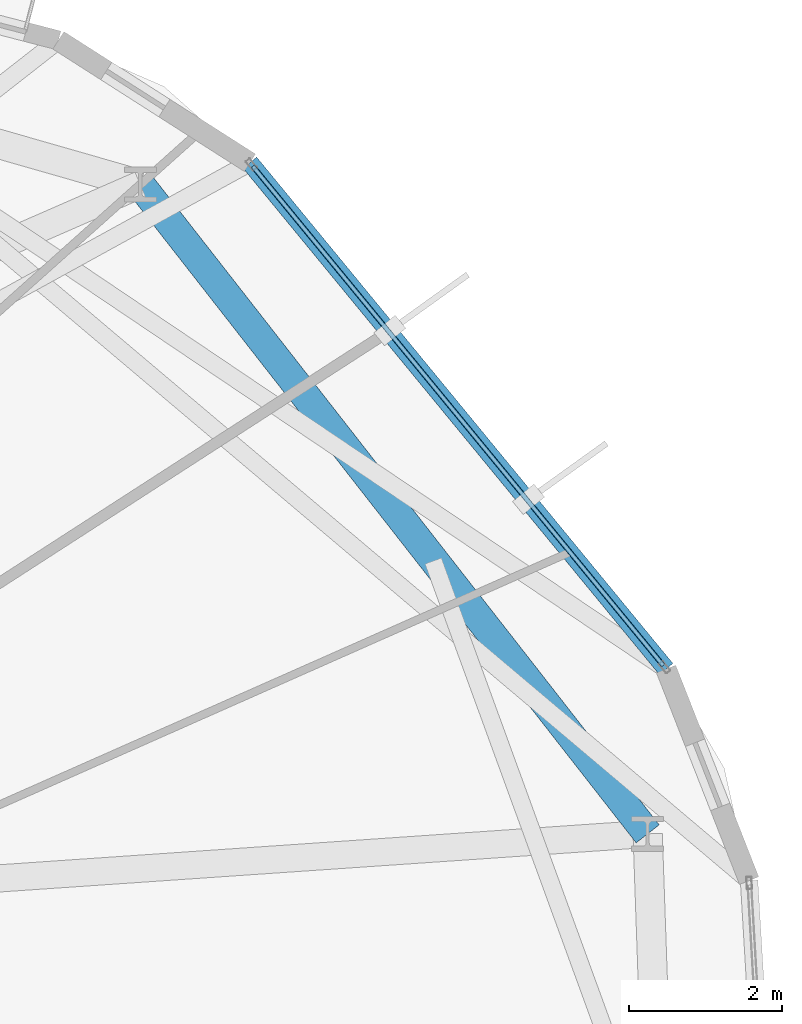
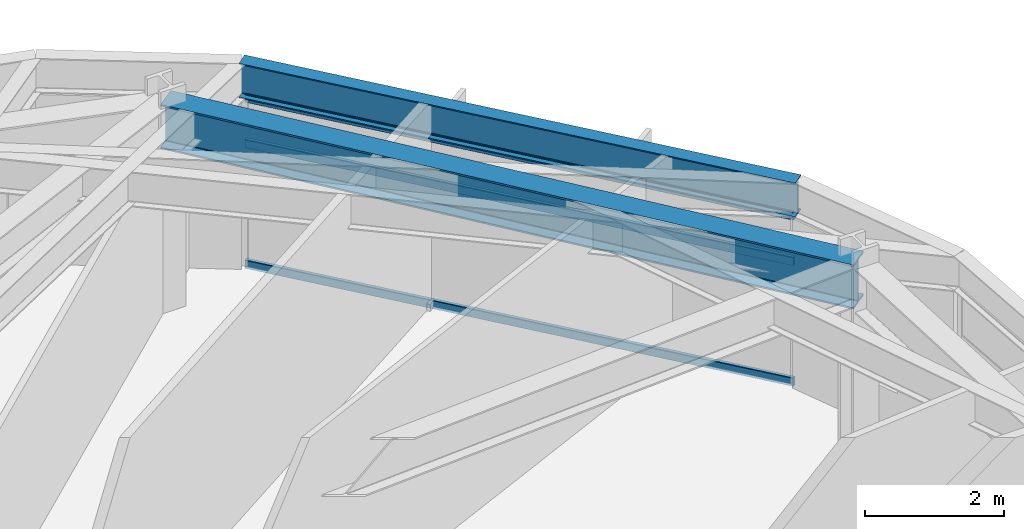
# One storey, part 12 of 22: 3 members, 2 beams, 1 element without a shape of its own.
"""IFC4 building model written with IfcOpenShell, lengths in metres."""

from ifc_helpers import new_model, si_unit, direction, frame, origin, origin_2d, place, context, subcontext, project, spatial, hollow_rectangle, i_section, extrude, material, layer, layer_set, material_profile, profile_set, type_object, element, aggregate, save


model = new_model("IFC4")

# Units and contexts
model_context = context("Model", 3, precision=1e-05, world=origin(), true_north=direction((0.0, 1.0)))
body_context = subcontext(model_context, "Body", "Model", "MODEL_VIEW")
ifc_project = project(units=[si_unit("LENGTHUNIT", "METRE"), si_unit("AREAUNIT", "SQUARE_METRE"), si_unit("VOLUMEUNIT", "CUBIC_METRE"), si_unit("PLANEANGLEUNIT", "RADIAN"), si_unit("MASSUNIT", "GRAM", prefix="KILO")], contexts=[model_context])

# Site, building, storey
site_placement = place(None, origin())
site = spatial("IfcSite", under=ifc_project, at=site_placement, CompositionType="ELEMENT")
building_placement = place(site_placement, origin())
building = spatial("IfcBuilding", under=site, at=building_placement, Name="Soratama Intermodal Tower", CompositionType="ELEMENT")
storey_placement = place(building_placement, frame((0.0, 0.0, 110.800048828125)))
storey = spatial("IfcBuildingStorey", under=building, at=storey_placement, Name="L26", CompositionType="ELEMENT", Elevation=110.800048828125)

# Beams
ifc_material_1 = material(Name="Structural steel ASTM A992 Grade 50", Category="steel")
ifc_material_profile_1 = material_profile(ifc_material_1, i_section(OverallWidth=0.382080078125, OverallDepth=0.779052734375, WebThickness=0.01806640625, FlangeThickness=0.030029296875, FilletRadius=0.01806640625, at=origin_2d()), Name="W30X191")
ifc_profile_set_1 = profile_set([ifc_material_profile_1], Name="Structural steel ASTM A992 Grade 50")
beam_type_1 = type_object("IfcBeamType", Name="BM-RING-W30X191", PredefinedType="BEAM", material=ifc_profile_set_1)
beam_1_placement = place(storey_placement, frame((61.35107421875, 30.950927734375, 3.21044921875), z_axis=(-0.615683690883, 0.787993396407, 0.0), x_axis=(-0.787993396407, -0.615683690883, 0.0)))
element("IfcBeam", 1, at=beam_1_placement, inside=storey, type_object=beam_type_1, Name="BM-L26-RING-01", PredefinedType="BEAM", context=body_context, shape_type="SweptSolid", body=[
    extrude(i_section(OverallWidth=0.382080078125, OverallDepth=0.779052734375, WebThickness=0.01806640625, FlangeThickness=0.030029296875, FilletRadius=0.01806640625, at=origin_2d()), origin(), (0.0, 0.0, 1.0), 10.754150390625),
])
ifc_material_2 = material(Name="Structural steel ASTM A992 Grade 50", Category="steel")
ifc_material_profile_2 = material_profile(ifc_material_2, i_section(OverallWidth=0.22900390625, OverallDepth=0.612060546875, WebThickness=0.011962890625, FlangeThickness=0.01953125, FilletRadius=0.012939453125, at=origin_2d()), Name="W24X84")
ifc_profile_set_2 = profile_set([ifc_material_profile_2], Name="Structural steel ASTM A992 Grade 50")
beam_type_2 = type_object("IfcBeamType", Name="BM-SPN-W24X84", PredefinedType="SPANDREL", material=ifc_profile_set_2)
beam_2_placement = place(storey_placement, frame((61.592041015625, 33.10205078125, 3.2939453125), z_axis=(-0.635032741365, 0.772485221473, 0.0), x_axis=(-0.772485221473, -0.635032741365, 0.0)))
element("IfcBeam", 2, at=beam_2_placement, inside=storey, type_object=beam_type_2, Name="BS-L26-F01", PredefinedType="SPANDREL", context=body_context, shape_type="SweptSolid", body=[
    extrude(i_section(OverallWidth=0.22900390625, OverallDepth=0.612060546875, WebThickness=0.011962890625, FlangeThickness=0.01953125, FilletRadius=0.012939453125, at=origin_2d()), origin(), (0.0, 0.0, 1.0), 8.55419921875),
])

# Curtain wall, members
ifc_material_3 = material(Name="Double-glazed aluminium curtain wall", Category="aluminium")
ifc_layer = layer(ifc_material_3, 0.159912109375)
ifc_layer_set = layer_set([ifc_layer], Name="Double-glazed aluminium curtain wall")
curtain_wall_type = type_object("IfcCurtainWallType", Name="CW-SYS-3", PredefinedType="NOTDEFINED", material=ifc_layer_set)
curtain_wall_placement = place(storey_placement, origin())
curtain_wall = element("IfcCurtainWall", 3, at=curtain_wall_placement, inside=storey, type_object=curtain_wall_type, Name="L26 Faceted Curtain Wall F01", PredefinedType="NOTDEFINED")
ifc_material_4 = material(Name="Anodised aluminium AA 6063-T6", Category="aluminium")
ifc_material_profile_3 = material_profile(ifc_material_4, hollow_rectangle(XDim=0.06494140625, YDim=0.14990234375, WallThickness=0.0048828125, InnerFilletRadius=0.0048828125, OuterFilletRadius=0.010009765625, at=origin_2d()), Name="CWT150X65X5")
ifc_profile_set_3 = profile_set([ifc_material_profile_3], Name="Anodised aluminium AA 6063-T6")
member_type = type_object("IfcMemberType", Name="TT-CWT-1", PredefinedType="USERDEFINED", material=ifc_profile_set_3)
member_1_placement = place(storey_placement, frame((61.553466796875, 33.1484375, 0.030029296875), z_axis=(-0.634984483404, 0.772524890108, 0.0), x_axis=(-0.772524890108, -0.634984483404, 0.0)))
member_1 = element("IfcMember", 4, at=member_1_placement, type_object=member_type, Name="CW-3 transom 1.1", ObjectType="TRANSOM", PredefinedType="USERDEFINED", context=body_context, shape_type="SweptSolid", body=[
    extrude(hollow_rectangle(XDim=0.06494140625, YDim=0.14990234375, WallThickness=0.0048828125, InnerFilletRadius=0.0048828125, OuterFilletRadius=0.010009765625, at=origin_2d()), origin(), (0.0, 0.0, 1.0), 8.433349609375),
])
member_2_placement = place(storey_placement, frame((61.553466796875, 33.1484375, 2.14990234375), z_axis=(-0.634984483404, 0.772524890108, 0.0), x_axis=(-0.772524890108, -0.634984483404, 0.0)))
member_2 = element("IfcMember", 5, at=member_2_placement, type_object=member_type, Name="CW-3 transom 1.2", ObjectType="TRANSOM", PredefinedType="USERDEFINED", context=body_context, shape_type="SweptSolid", body=[
    extrude(hollow_rectangle(XDim=0.06494140625, YDim=0.14990234375, WallThickness=0.0048828125, InnerFilletRadius=0.0048828125, OuterFilletRadius=0.010009765625, at=origin_2d()), origin(), (0.0, 0.0, 1.0), 8.433349609375),
])
member_3_placement = place(storey_placement, frame((61.553466796875, 33.1484375, 2.948974609375), z_axis=(-0.634984483404, 0.772524890108, 0.0), x_axis=(-0.772524890108, -0.634984483404, 0.0)))
member_3 = element("IfcMember", 6, at=member_3_placement, type_object=member_type, Name="CW-3 transom 1.3", ObjectType="TRANSOM", PredefinedType="USERDEFINED", context=body_context, shape_type="SweptSolid", body=[
    extrude(hollow_rectangle(XDim=0.06494140625, YDim=0.14990234375, WallThickness=0.0048828125, InnerFilletRadius=0.0048828125, OuterFilletRadius=0.010009765625, at=origin_2d()), origin(), (0.0, 0.0, 1.0), 8.433349609375),
])
aggregate(curtain_wall, [member_1, member_2, member_3])

save(model, "model.ifc")
